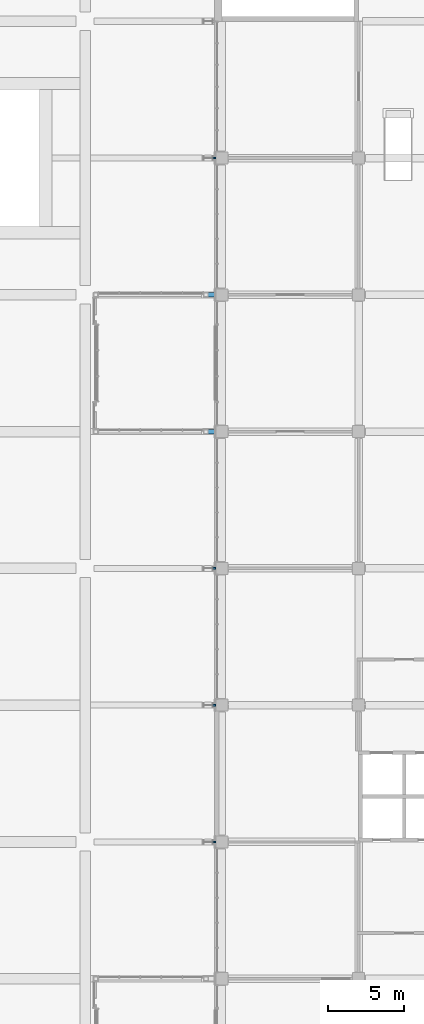
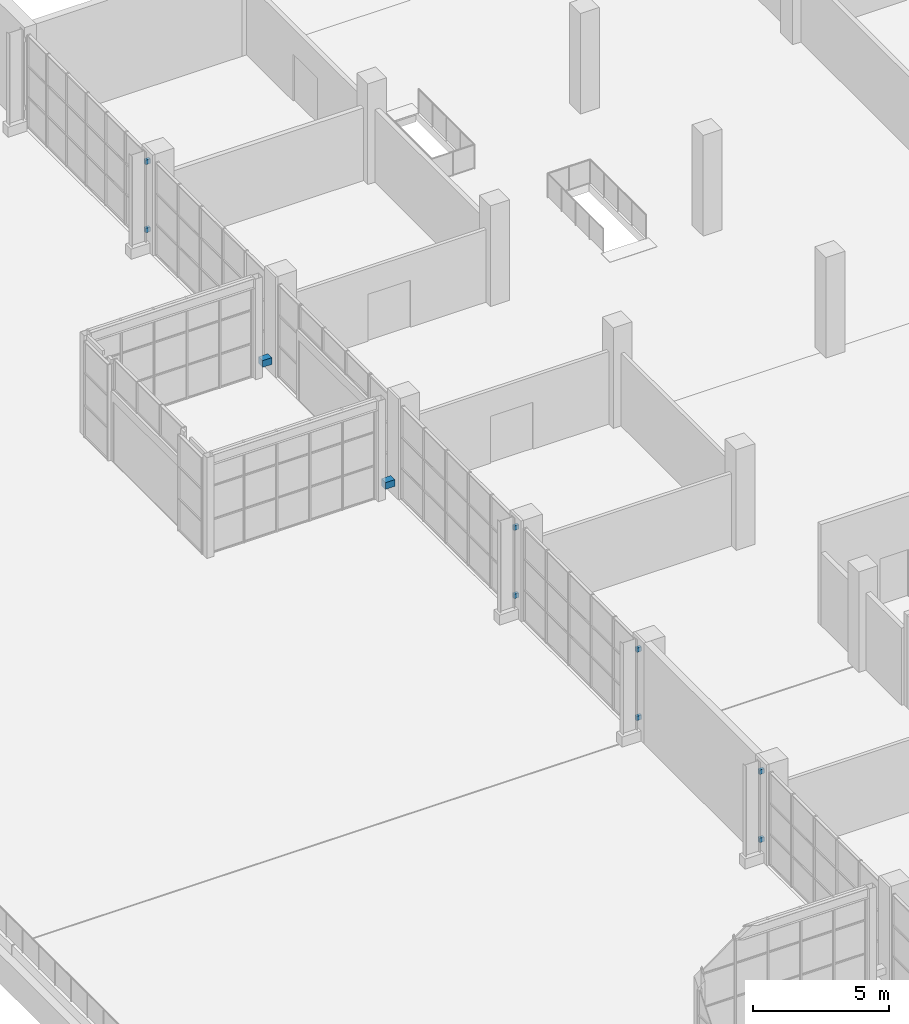
# One storey, part 124 of 168: 10 discrete accessories.
"""IFC4 building model written with IfcOpenShell, lengths in metres."""

from ifc_helpers import new_model, si_unit, direction, frame, origin, origin_2d, place, context, subcontext, project, spatial, rectangle, extrude, material, type_object, element, save


model = new_model("IFC4")

# Units and contexts
model_context = context("Model", 3, precision=1e-05, world=origin(), true_north=direction((0.0, 1.0)))
body_context = subcontext(model_context, "Body", "Model", "MODEL_VIEW")
ifc_project = project(units=[si_unit("LENGTHUNIT", "METRE"), si_unit("AREAUNIT", "SQUARE_METRE"), si_unit("VOLUMEUNIT", "CUBIC_METRE"), si_unit("PLANEANGLEUNIT", "RADIAN"), si_unit("MASSUNIT", "GRAM", prefix="KILO")], contexts=[model_context])

# Site, building, storey
site_placement = place(None, origin())
site = spatial("IfcSite", under=ifc_project, at=site_placement, CompositionType="ELEMENT")
building_placement = place(site_placement, origin())
building = spatial("IfcBuilding", under=site, at=building_placement, Name="Silverbay Arena", CompositionType="ELEMENT")
storey_placement = place(building_placement, frame((0.0, 0.0, 7.0)))
storey = spatial("IfcBuildingStorey", under=building, at=storey_placement, Name="L01", CompositionType="ELEMENT", Elevation=7.0)

# Discrete accessories
ifc_material = material(Name="Steel S355", Category="steel")
discrete_accessory_type = type_object("IfcDiscreteAccessoryType", Name="Steel bracket plate", PredefinedType="BRACKET", material=ifc_material)
for number, where, z_axis, x_axis, name in (
    (1, (26.5, 72.0, 0.85009765625), (0.0, 0.0, 1.0), (1.0, 0.0, 0.0), "Fin bracket"),
    (2, (26.5, 72.0, 3.89990234375), (0.0, 0.0, 1.0), (1.0, 0.0, 0.0), "Fin bracket"),
    (3, (26.5, 81.0, 0.85009765625), (0.0, 0.0, 1.0), (1.0, 0.0, 0.0), "Fin bracket"),
    (4, (26.5, 81.0, 3.89990234375), (0.0, 0.0, 1.0), (1.0, 0.0, 0.0), "Fin bracket"),
    (5, (26.5, 90.0, 0.85009765625), (0.0, 0.0, 1.0), (1.0, 0.0, 0.0), "Fin bracket"),
    (6, (26.5, 90.0, 3.89990234375), (0.0, 0.0, 1.0), (1.0, 0.0, 0.0), "Fin bracket"),
    (7, (26.5, 117.0, 0.85009765625), (0.0, 0.0, 1.0), (1.0, 0.0, 0.0), "Fin bracket"),
    (8, (26.5, 117.0, 3.89990234375), (0.0, 0.0, 1.0), (1.0, 0.0, 0.0), "Fin bracket"),
):
    element("IfcDiscreteAccessory", number, at=place(storey_placement, frame(where, z_axis=z_axis, x_axis=x_axis)), inside=storey, type_object=discrete_accessory_type, Name=name, PredefinedType="BRACKET", context=body_context, shape_type="SweptSolid", body=[
        extrude(rectangle(XDim=0.199951171875, YDim=0.1201171875, at=origin_2d()), origin(), (0.0, 0.0, 1.0), 0.199951171875),
    ])
for number, where, z_axis, x_axis, name in (
    (9, (26.300048828125, 99.0, 0.4501953125), (0.0, 0.0, 1.0), (1.0, 0.0, 0.0), "Hall column bracket plate"),
    (10, (26.300048828125, 108.0, 0.4501953125), (0.0, 0.0, 1.0), (1.0, 0.0, 0.0), "Hall column bracket plate"),
):
    element("IfcDiscreteAccessory", number, at=place(storey_placement, frame(where, z_axis=z_axis, x_axis=x_axis)), inside=storey, type_object=discrete_accessory_type, Name=name, PredefinedType="BRACKET", context=body_context, shape_type="SweptSolid", body=[
        extrude(rectangle(XDim=0.39990234375, YDim=0.300048828125, at=origin_2d()), origin(), (0.0, 0.0, 1.0), 0.300048828125),
    ])

save(model, "model.ifc")
